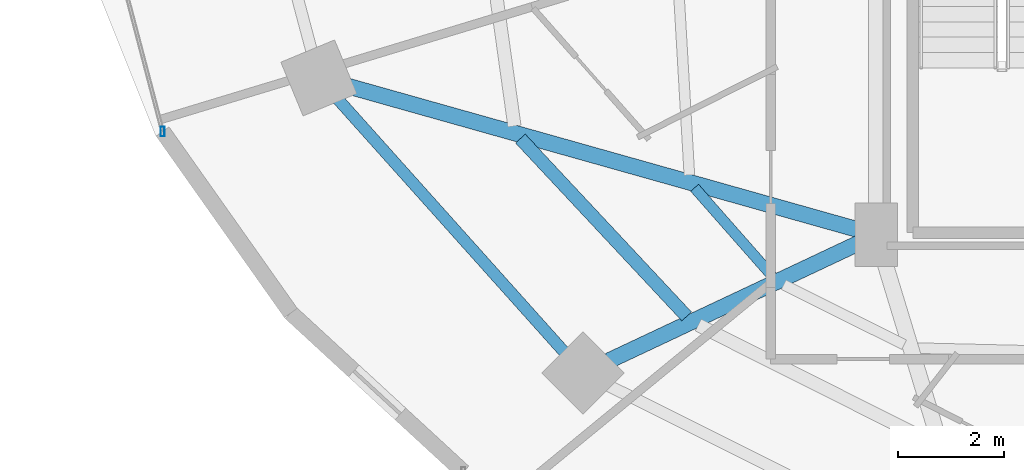
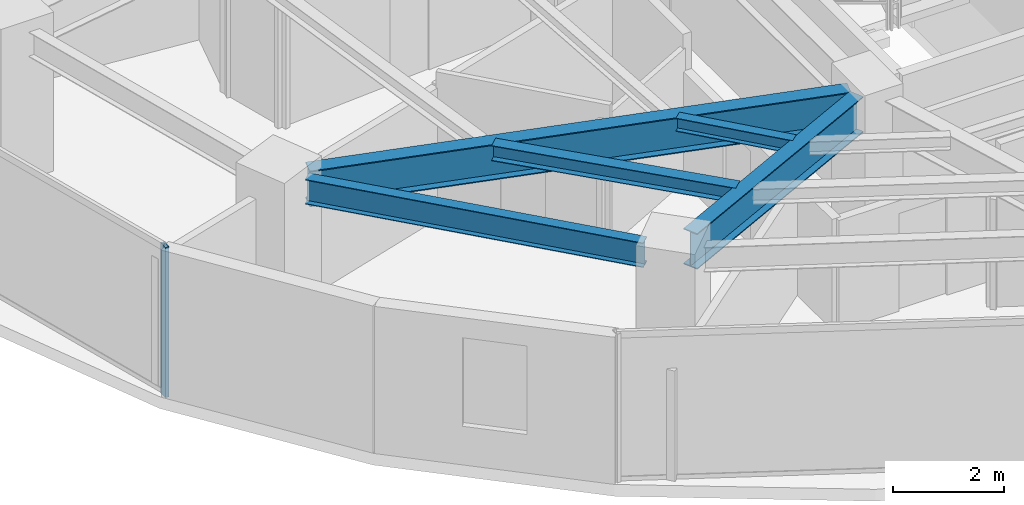
# One storey, part 3 of 29: 5 beams, 1 member, 1 element without a shape of its own.
"""IFC4 building model written with IfcOpenShell, lengths in metres."""

from ifc_helpers import new_model, si_unit, direction, frame, origin, origin_2d, place, context, subcontext, project, spatial, hollow_rectangle, i_section, extrude, material, material_profile, profile_set, type_object, element, aggregate, save


model = new_model("IFC4")

# Units and contexts
model_context = context("Model", 3, precision=1e-05, world=origin(), true_north=direction((0.0, 1.0)))
body_context = subcontext(model_context, "Body", "Model", "MODEL_VIEW")
ifc_project = project(units=[si_unit("LENGTHUNIT", "METRE"), si_unit("AREAUNIT", "SQUARE_METRE"), si_unit("VOLUMEUNIT", "CUBIC_METRE"), si_unit("PLANEANGLEUNIT", "RADIAN"), si_unit("MASSUNIT", "GRAM", prefix="KILO")], contexts=[model_context])

# Site, building, storey
site_placement = place(None, origin())
site = spatial("IfcSite", under=ifc_project, at=site_placement, CompositionType="ELEMENT")
building_placement = place(site_placement, origin())
building = spatial("IfcBuilding", under=site, at=building_placement, Name="Vorneva Point Tower", CompositionType="ELEMENT")
storey_placement = place(building_placement, frame((0.0, 0.0, 110.300048828125)))
storey = spatial("IfcBuildingStorey", under=building, at=storey_placement, Name="L29", CompositionType="ELEMENT", Elevation=110.300048828125)

# Beams
ifc_material_1 = material(Name="Steel S355", Category="steel")
ifc_material_profile_1 = material_profile(ifc_material_1, i_section(OverallWidth=0.300048828125, OverallDepth=0.7880859375, WebThickness=0.014404296875, FlangeThickness=0.02197265625, at=origin_2d()), Name="80Sh1")
ifc_profile_set_1 = profile_set([ifc_material_profile_1], Name="Steel S355")
beam_type_1 = type_object("IfcBeamType", Name="BM-GRD-80Sh1", PredefinedType="USERDEFINED", material=ifc_profile_set_1)
beam_1_placement = place(storey_placement, frame((17.222412109375, 19.272216796875, 2.845947265625), z_axis=(0.962598038366, -0.270933601708, 0.0), x_axis=(0.270933601708, 0.962598038366, 0.0)))
element("IfcBeam", 1, at=beam_1_placement, inside=storey, type_object=beam_type_1, Name="L29 Radial Primary Girder 10", ObjectType="GIRDER", PredefinedType="USERDEFINED", context=body_context, shape_type="SweptSolid", body=[
    extrude(i_section(OverallWidth=0.300048828125, OverallDepth=0.7880859375, WebThickness=0.014404296875, FlangeThickness=0.02197265625, at=origin_2d()), origin(), (0.0, 0.0, 1.0), 10.0771484375),
])
beam_2_placement = place(storey_placement, frame((22.18798828125, 14.06689453125, 2.845947265625), z_axis=(0.904751304927, 0.425940226126, 0.0), x_axis=(-0.425940226126, 0.904751304927, 0.0)))
element("IfcBeam", 2, at=beam_2_placement, inside=storey, type_object=beam_type_1, Name="L29 Radial Primary Girder 11", ObjectType="GIRDER", PredefinedType="USERDEFINED", context=body_context, shape_type="SweptSolid", body=[
    extrude(i_section(OverallWidth=0.300048828125, OverallDepth=0.7880859375, WebThickness=0.014404296875, FlangeThickness=0.02197265625, at=origin_2d()), origin(), (0.0, 0.0, 1.0), 5.2548828125),
])
ifc_material_profile_2 = material_profile(ifc_material_1, i_section(OverallWidth=0.199951171875, OverallDepth=0.291015625, WebThickness=0.008056640625, FlangeThickness=0.010986328125, at=origin_2d()), Name="30Sh1")
ifc_profile_set_2 = profile_set([ifc_material_profile_2], Name="Steel S355")
beam_type_2 = type_object("IfcBeamType", Name="BM-SEC-30Sh1", PredefinedType="BEAM", material=ifc_profile_set_2)
beam_3_placement = place(storey_placement, frame((23.812744140625, 17.33935546875, 3.094482421875), z_axis=(0.660778844384, -0.750580654437, 0.0), x_axis=(0.750580654437, 0.660778844384, 0.0)))
element("IfcBeam", 3, at=beam_3_placement, inside=storey, type_object=beam_type_2, Name="L29 Secondary Floor Beam 2.10", PredefinedType="BEAM", context=body_context, shape_type="SweptSolid", body=[
    extrude(i_section(OverallWidth=0.199951171875, OverallDepth=0.291015625, WebThickness=0.008056640625, FlangeThickness=0.010986328125, at=origin_2d()), origin(), (0.0, 0.0, 1.0), 2.223876953125),
])
ifc_material_profile_3 = material_profile(ifc_material_1, i_section(OverallWidth=0.2490234375, OverallDepth=0.333984375, WebThickness=0.008056640625, FlangeThickness=0.010986328125, at=origin_2d()), Name="35Sh1")
ifc_profile_set_3 = profile_set([ifc_material_profile_3], Name="Steel S355")
beam_type_3 = type_object("IfcBeamType", Name="BM-SEC-35Sh1", PredefinedType="BEAM", material=ifc_profile_set_3)
beam_4_placement = place(storey_placement, frame((20.517822265625, 18.2705078125, 3.072998046875), z_axis=(0.682901714838, -0.730510265411, 0.0), x_axis=(0.730510265411, 0.682901714838, 0.0)))
element("IfcBeam", 4, at=beam_4_placement, inside=storey, type_object=beam_type_3, Name="L29 Secondary Floor Beam 1.10", PredefinedType="BEAM", context=body_context, shape_type="SweptSolid", body=[
    extrude(i_section(OverallWidth=0.2490234375, OverallDepth=0.333984375, WebThickness=0.008056640625, FlangeThickness=0.010986328125, at=origin_2d()), origin(), (0.0, 0.0, 1.0), 4.60498046875),
])
ifc_material_profile_4 = material_profile(ifc_material_1, i_section(OverallWidth=0.219970703125, OverallDepth=0.54296875, WebThickness=0.009521484375, FlangeThickness=0.013427734375, at=origin_2d()), Name="55B1")
ifc_profile_set_4 = profile_set([ifc_material_profile_4], Name="Steel S355")
beam_type_4 = type_object("IfcBeamType", Name="BM-SPN-55B1", PredefinedType="SPANDREL", material=ifc_profile_set_4)
beam_5_placement = place(storey_placement, frame((17.0615234375, 19.019287109375, 2.968505859375), z_axis=(0.667073815664, -0.744991627105, 0.0), x_axis=(0.744991627105, 0.667073815664, 0.0)))
element("IfcBeam", 5, at=beam_5_placement, inside=storey, type_object=beam_type_4, Name="L29 Perimeter Spandrel Ring Beam 10", PredefinedType="SPANDREL", context=body_context, shape_type="SweptSolid", body=[
    extrude(i_section(OverallWidth=0.219970703125, OverallDepth=0.54296875, WebThickness=0.009521484375, FlangeThickness=0.013427734375, at=origin_2d()), origin(), (0.0, 0.0, 1.0), 6.420166015625),
])

# Curtain wall, member
ifc_material_2 = material(Name="Pale anodised aluminium", Category="aluminium")
curtain_wall_type = type_object("IfcCurtainWallType", Name="CW-HTL-SYS", PredefinedType="NOTDEFINED", material=ifc_material_2)
curtain_wall_placement = place(storey_placement, origin())
curtain_wall = element("IfcCurtainWall", 6, at=curtain_wall_placement, inside=storey, type_object=curtain_wall_type, Name="L29 Unitised Curtain Wall CW-L29-R03", PredefinedType="NOTDEFINED")
ifc_material_profile_5 = material_profile(ifc_material_2, hollow_rectangle(XDim=0.074951171875, YDim=0.179931640625, WallThickness=0.00390625, at=origin_2d()), Name="AL-MUL 180x75x4")
ifc_profile_set_5 = profile_set([ifc_material_profile_5], Name="Pale anodised aluminium")
member_type = type_object("IfcMemberType", Name="CW-MUL-180", PredefinedType="MULLION", material=ifc_profile_set_5)
member_placement = place(storey_placement, frame((13.748291015625, 18.40380859375, -0.0400390625), z_axis=(0.0, 0.0, 1.0), x_axis=(1.0, 0.0, 0.0)))
member = element("IfcMember", 7, at=member_placement, type_object=member_type, Name="CW-L29-R03 Mullion 02", PredefinedType="MULLION", context=body_context, shape_type="SweptSolid", body=[
    extrude(hollow_rectangle(XDim=0.074951171875, YDim=0.179931640625, WallThickness=0.00390625, at=origin_2d()), origin(), (0.0, 0.0, 1.0), 3.31005859375),
])
aggregate(curtain_wall, [member])

save(model, "model.ifc")
